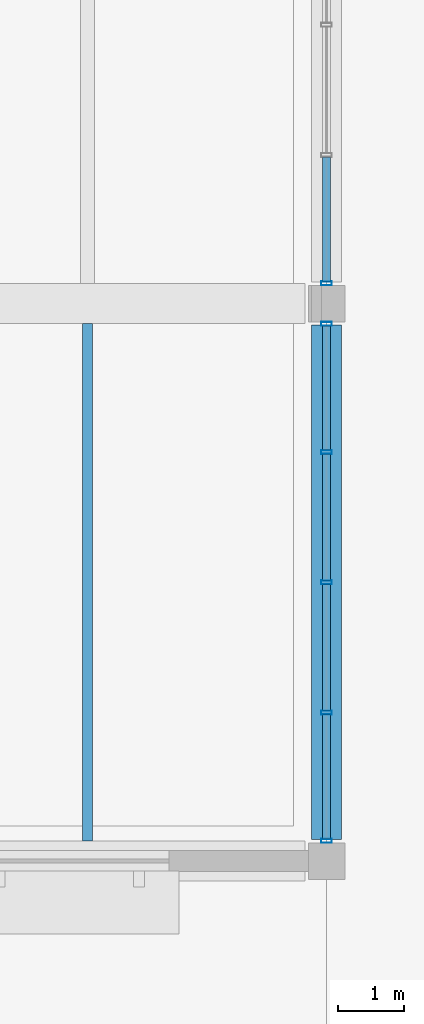
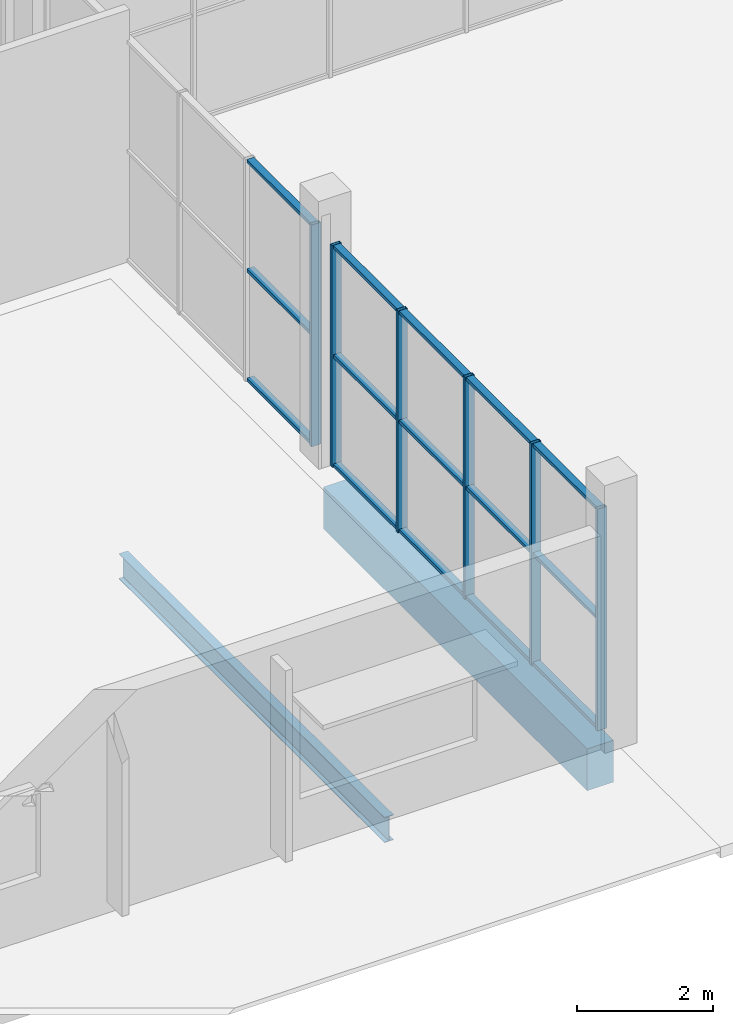
# One storey, part 20 of 130: 21 members, 2 beams, 2 elements without a shape of their own.
"""IFC4 building model written with IfcOpenShell, lengths in metres."""

from ifc_helpers import new_model, si_unit, direction, frame, origin, origin_2d, place, context, subcontext, project, spatial, rectangle, hollow_rectangle, i_section, extrude, material, material_profile, profile_set, type_object, element, aggregate, save


model = new_model("IFC4")

# Units and contexts
model_context = context("Model", 3, precision=1e-05, world=origin(), true_north=direction((0.0, 1.0)))
body_context = subcontext(model_context, "Body", "Model", "MODEL_VIEW")
ifc_project = project(units=[si_unit("LENGTHUNIT", "METRE"), si_unit("AREAUNIT", "SQUARE_METRE"), si_unit("VOLUMEUNIT", "CUBIC_METRE"), si_unit("PLANEANGLEUNIT", "RADIAN"), si_unit("MASSUNIT", "GRAM", prefix="KILO"), si_unit("THERMODYNAMICTEMPERATUREUNIT", "KELVIN")], contexts=[model_context])

# Site, building, storey
site_placement = place(None, origin())
site = spatial("IfcSite", under=ifc_project, at=site_placement, CompositionType="ELEMENT")
building_placement = place(site_placement, origin())
building = spatial("IfcBuilding", under=site, at=building_placement, Name="Nduvali Passage Aquatics Centre", CompositionType="ELEMENT")
storey_placement = place(building_placement, origin())
storey = spatial("IfcBuildingStorey", under=building, at=storey_placement, Name="L00", CompositionType="ELEMENT", Elevation=0.0)

# Curtain wall, members
ifc_material_1 = material(Name="Aluminium EN AW-6063 T6", Category="aluminium")
curtain_wall_type = type_object("IfcCurtainWallType", Name="ENV-CW-COUR", PredefinedType="NOTDEFINED", material=ifc_material_1)
curtain_wall_1_placement = place(storey_placement, origin())
curtain_wall_1 = element("IfcCurtainWall", 1, at=curtain_wall_1_placement, inside=storey, type_object=curtain_wall_type, Name="L00 Courtyard West Cloister CW 167", PredefinedType="NOTDEFINED")
ifc_material_profile_1 = material_profile(ifc_material_1, hollow_rectangle(XDim=0.06005859375, YDim=0.159912109375, WallThickness=0.00390625, at=origin_2d()), Name="ALU MULLION 60x160x4")
ifc_profile_set_1 = profile_set([ifc_material_profile_1], Name="Aluminium EN AW-6063 T6")
member_type_1 = type_object("IfcMemberType", Name="ENV-MEM-MUL60", PredefinedType="MULLION", material=ifc_profile_set_1)
member_1_placement = place(storey_placement, frame((68.39990234375, 0.304931640625, 0.0), z_axis=(0.0, 0.0, 1.0), x_axis=(0.0, 1.0, 0.0)))
member_1 = element("IfcMember", 2, at=member_1_placement, type_object=member_type_1, Name="Courtyard West Cloister CW Mullion 1", PredefinedType="MULLION", context=body_context, shape_type="SweptSolid", body=[
    extrude(hollow_rectangle(XDim=0.06005859375, YDim=0.159912109375, WallThickness=0.00390625, at=origin_2d()), origin(), (0.0, 0.0, 1.0), 3.976318359375),
])
member_2_placement = place(storey_placement, frame((68.39990234375, 2.237548828125, 0.0), z_axis=(0.0, 0.0, 1.0), x_axis=(0.0, 1.0, 0.0)))
member_2 = element("IfcMember", 3, at=member_2_placement, type_object=member_type_1, Name="Courtyard West Cloister CW Mullion 2", PredefinedType="MULLION", context=body_context, shape_type="SweptSolid", body=[
    extrude(hollow_rectangle(XDim=0.06005859375, YDim=0.159912109375, WallThickness=0.00390625, at=origin_2d()), origin(), (0.0, 0.0, 1.0), 3.976318359375),
])
member_3_placement = place(storey_placement, frame((68.39990234375, 4.199951171875, 0.0), z_axis=(0.0, 0.0, 1.0), x_axis=(0.0, 1.0, 0.0)))
member_3 = element("IfcMember", 4, at=member_3_placement, type_object=member_type_1, Name="Courtyard West Cloister CW Mullion 3", PredefinedType="MULLION", context=body_context, shape_type="SweptSolid", body=[
    extrude(hollow_rectangle(XDim=0.06005859375, YDim=0.159912109375, WallThickness=0.00390625, at=origin_2d()), origin(), (0.0, 0.0, 1.0), 3.976318359375),
])
member_4_placement = place(storey_placement, frame((68.39990234375, 6.16259765625, 0.0), z_axis=(0.0, 0.0, 1.0), x_axis=(0.0, 1.0, 0.0)))
member_4 = element("IfcMember", 5, at=member_4_placement, type_object=member_type_1, Name="Courtyard West Cloister CW Mullion 4", PredefinedType="MULLION", context=body_context, shape_type="SweptSolid", body=[
    extrude(hollow_rectangle(XDim=0.06005859375, YDim=0.159912109375, WallThickness=0.00390625, at=origin_2d()), origin(), (0.0, 0.0, 1.0), 3.976318359375),
])
member_5_placement = place(storey_placement, frame((68.39990234375, 8.094970703125, 0.0), z_axis=(0.0, 0.0, 1.0), x_axis=(0.0, 1.0, 0.0)))
member_5 = element("IfcMember", 6, at=member_5_placement, type_object=member_type_1, Name="Courtyard West Cloister CW Mullion 5", PredefinedType="MULLION", context=body_context, shape_type="SweptSolid", body=[
    extrude(hollow_rectangle(XDim=0.06005859375, YDim=0.159912109375, WallThickness=0.00390625, at=origin_2d()), origin(), (0.0, 0.0, 1.0), 3.976318359375),
])

# Curtain wall, member
curtain_wall_2_placement = place(storey_placement, origin())
curtain_wall_2 = element("IfcCurtainWall", 7, at=curtain_wall_2_placement, inside=storey, type_object=curtain_wall_type, Name="L00 Courtyard West Cloister CW 171", PredefinedType="NOTDEFINED")
member_6_placement = place(storey_placement, frame((68.39990234375, 8.705078125, 0.0), z_axis=(0.0, 0.0, 1.0), x_axis=(0.0, 1.0, 0.0)))
member_6 = element("IfcMember", 8, at=member_6_placement, type_object=member_type_1, Name="Courtyard West Cloister CW Mullion 1", PredefinedType="MULLION", context=body_context, shape_type="SweptSolid", body=[
    extrude(hollow_rectangle(XDim=0.06005859375, YDim=0.159912109375, WallThickness=0.00390625, at=origin_2d()), origin(), (0.0, 0.0, 1.0), 3.976318359375),
])

# Member
ifc_material_profile_2 = material_profile(ifc_material_1, hollow_rectangle(XDim=0.1201171875, YDim=0.06005859375, WallThickness=0.00390625, at=origin_2d()), Name="ALU TRANSOM 120x60x4")
ifc_profile_set_2 = profile_set([ifc_material_profile_2], Name="Aluminium EN AW-6063 T6")
member_type_2 = type_object("IfcMemberType", Name="ENV-MEM-TRN60", PredefinedType="USERDEFINED", material=ifc_profile_set_2)
member_7_placement = place(storey_placement, frame((68.39990234375, 0.3349609375, 0.030029296875), z_axis=(0.0, 1.0, 0.0), x_axis=(-1.0, 0.0, 0.0)))
member_7 = element("IfcMember", 9, at=member_7_placement, type_object=member_type_2, Name="Courtyard West Cloister CW Transom B1-R0", ObjectType="TRANSOM", PredefinedType="USERDEFINED", context=body_context, shape_type="SweptSolid", body=[
    extrude(hollow_rectangle(XDim=0.1201171875, YDim=0.06005859375, WallThickness=0.00390625, at=origin_2d()), origin(), (0.0, 0.0, 1.0), 1.87255859375),
])

member_8_placement = place(storey_placement, frame((68.39990234375, 0.3349609375, 1.98828125), z_axis=(0.0, 1.0, 0.0), x_axis=(-1.0, 0.0, 0.0)))
member_8 = element("IfcMember", 10, at=member_8_placement, type_object=member_type_2, Name="Courtyard West Cloister CW Transom B1-R1", ObjectType="TRANSOM", PredefinedType="USERDEFINED", context=body_context, shape_type="SweptSolid", body=[
    extrude(hollow_rectangle(XDim=0.1201171875, YDim=0.06005859375, WallThickness=0.00390625, at=origin_2d()), origin(), (0.0, 0.0, 1.0), 1.87255859375),
])

member_9_placement = place(storey_placement, frame((68.39990234375, 0.3349609375, 3.9462890625), z_axis=(0.0, 1.0, 0.0), x_axis=(-1.0, 0.0, 0.0)))
member_9 = element("IfcMember", 11, at=member_9_placement, type_object=member_type_2, Name="Courtyard West Cloister CW Transom B1-R2", ObjectType="TRANSOM", PredefinedType="USERDEFINED", context=body_context, shape_type="SweptSolid", body=[
    extrude(hollow_rectangle(XDim=0.1201171875, YDim=0.06005859375, WallThickness=0.00390625, at=origin_2d()), origin(), (0.0, 0.0, 1.0), 1.87255859375),
])

member_10_placement = place(storey_placement, frame((68.39990234375, 2.267578125, 0.030029296875), z_axis=(0.0, 1.0, 0.0), x_axis=(-1.0, 0.0, 0.0)))
member_10 = element("IfcMember", 12, at=member_10_placement, type_object=member_type_2, Name="Courtyard West Cloister CW Transom B2-R0", ObjectType="TRANSOM", PredefinedType="USERDEFINED", context=body_context, shape_type="SweptSolid", body=[
    extrude(hollow_rectangle(XDim=0.1201171875, YDim=0.06005859375, WallThickness=0.00390625, at=origin_2d()), origin(), (0.0, 0.0, 1.0), 1.90234375),
])

member_11_placement = place(storey_placement, frame((68.39990234375, 2.267578125, 1.98828125), z_axis=(0.0, 1.0, 0.0), x_axis=(-1.0, 0.0, 0.0)))
member_11 = element("IfcMember", 13, at=member_11_placement, type_object=member_type_2, Name="Courtyard West Cloister CW Transom B2-R1", ObjectType="TRANSOM", PredefinedType="USERDEFINED", context=body_context, shape_type="SweptSolid", body=[
    extrude(hollow_rectangle(XDim=0.1201171875, YDim=0.06005859375, WallThickness=0.00390625, at=origin_2d()), origin(), (0.0, 0.0, 1.0), 1.90234375),
])

member_12_placement = place(storey_placement, frame((68.39990234375, 2.267578125, 3.9462890625), z_axis=(0.0, 1.0, 0.0), x_axis=(-1.0, 0.0, 0.0)))
member_12 = element("IfcMember", 14, at=member_12_placement, type_object=member_type_2, Name="Courtyard West Cloister CW Transom B2-R2", ObjectType="TRANSOM", PredefinedType="USERDEFINED", context=body_context, shape_type="SweptSolid", body=[
    extrude(hollow_rectangle(XDim=0.1201171875, YDim=0.06005859375, WallThickness=0.00390625, at=origin_2d()), origin(), (0.0, 0.0, 1.0), 1.90234375),
])

member_13_placement = place(storey_placement, frame((68.39990234375, 4.22998046875, 0.030029296875), z_axis=(0.0, 1.0, 0.0), x_axis=(-1.0, 0.0, 0.0)))
member_13 = element("IfcMember", 15, at=member_13_placement, type_object=member_type_2, Name="Courtyard West Cloister CW Transom B3-R0", ObjectType="TRANSOM", PredefinedType="USERDEFINED", context=body_context, shape_type="SweptSolid", body=[
    extrude(hollow_rectangle(XDim=0.1201171875, YDim=0.06005859375, WallThickness=0.00390625, at=origin_2d()), origin(), (0.0, 0.0, 1.0), 1.902587890625),
])

member_14_placement = place(storey_placement, frame((68.39990234375, 4.22998046875, 1.98828125), z_axis=(0.0, 1.0, 0.0), x_axis=(-1.0, 0.0, 0.0)))
member_14 = element("IfcMember", 16, at=member_14_placement, type_object=member_type_2, Name="Courtyard West Cloister CW Transom B3-R1", ObjectType="TRANSOM", PredefinedType="USERDEFINED", context=body_context, shape_type="SweptSolid", body=[
    extrude(hollow_rectangle(XDim=0.1201171875, YDim=0.06005859375, WallThickness=0.00390625, at=origin_2d()), origin(), (0.0, 0.0, 1.0), 1.902587890625),
])

member_15_placement = place(storey_placement, frame((68.39990234375, 4.22998046875, 3.9462890625), z_axis=(0.0, 1.0, 0.0), x_axis=(-1.0, 0.0, 0.0)))
member_15 = element("IfcMember", 17, at=member_15_placement, type_object=member_type_2, Name="Courtyard West Cloister CW Transom B3-R2", ObjectType="TRANSOM", PredefinedType="USERDEFINED", context=body_context, shape_type="SweptSolid", body=[
    extrude(hollow_rectangle(XDim=0.1201171875, YDim=0.06005859375, WallThickness=0.00390625, at=origin_2d()), origin(), (0.0, 0.0, 1.0), 1.902587890625),
])

member_16_placement = place(storey_placement, frame((68.39990234375, 6.1923828125, 0.030029296875), z_axis=(0.0, 1.0, 0.0), x_axis=(-1.0, 0.0, 0.0)))
member_16 = element("IfcMember", 18, at=member_16_placement, type_object=member_type_2, Name="Courtyard West Cloister CW Transom B4-R0", ObjectType="TRANSOM", PredefinedType="USERDEFINED", context=body_context, shape_type="SweptSolid", body=[
    extrude(hollow_rectangle(XDim=0.1201171875, YDim=0.06005859375, WallThickness=0.00390625, at=origin_2d()), origin(), (0.0, 0.0, 1.0), 1.87255859375),
])

member_17_placement = place(storey_placement, frame((68.39990234375, 6.1923828125, 1.98828125), z_axis=(0.0, 1.0, 0.0), x_axis=(-1.0, 0.0, 0.0)))
member_17 = element("IfcMember", 19, at=member_17_placement, type_object=member_type_2, Name="Courtyard West Cloister CW Transom B4-R1", ObjectType="TRANSOM", PredefinedType="USERDEFINED", context=body_context, shape_type="SweptSolid", body=[
    extrude(hollow_rectangle(XDim=0.1201171875, YDim=0.06005859375, WallThickness=0.00390625, at=origin_2d()), origin(), (0.0, 0.0, 1.0), 1.87255859375),
])

member_18_placement = place(storey_placement, frame((68.39990234375, 6.1923828125, 3.9462890625), z_axis=(0.0, 1.0, 0.0), x_axis=(-1.0, 0.0, 0.0)))
member_18 = element("IfcMember", 20, at=member_18_placement, type_object=member_type_2, Name="Courtyard West Cloister CW Transom B4-R2", ObjectType="TRANSOM", PredefinedType="USERDEFINED", context=body_context, shape_type="SweptSolid", body=[
    extrude(hollow_rectangle(XDim=0.1201171875, YDim=0.06005859375, WallThickness=0.00390625, at=origin_2d()), origin(), (0.0, 0.0, 1.0), 1.87255859375),
])

aggregate(curtain_wall_1, [member_1, member_2, member_3, member_4, member_5, member_7, member_8, member_9, member_10, member_11, member_12, member_13, member_14, member_15, member_16, member_17, member_18])

member_19_placement = place(storey_placement, frame((68.39990234375, 8.735107421875, 0.030029296875), z_axis=(0.0, 1.0, 0.0), x_axis=(-1.0, 0.0, 0.0)))
member_19 = element("IfcMember", 21, at=member_19_placement, type_object=member_type_2, Name="Courtyard West Cloister CW Transom B1-R0", ObjectType="TRANSOM", PredefinedType="USERDEFINED", context=body_context, shape_type="SweptSolid", body=[
    extrude(hollow_rectangle(XDim=0.1201171875, YDim=0.06005859375, WallThickness=0.00390625, at=origin_2d()), origin(), (0.0, 0.0, 1.0), 1.872314453125),
])

member_20_placement = place(storey_placement, frame((68.39990234375, 8.735107421875, 1.98828125), z_axis=(0.0, 1.0, 0.0), x_axis=(-1.0, 0.0, 0.0)))
member_20 = element("IfcMember", 22, at=member_20_placement, type_object=member_type_2, Name="Courtyard West Cloister CW Transom B1-R1", ObjectType="TRANSOM", PredefinedType="USERDEFINED", context=body_context, shape_type="SweptSolid", body=[
    extrude(hollow_rectangle(XDim=0.1201171875, YDim=0.06005859375, WallThickness=0.00390625, at=origin_2d()), origin(), (0.0, 0.0, 1.0), 1.872314453125),
])

member_21_placement = place(storey_placement, frame((68.39990234375, 8.735107421875, 3.9462890625), z_axis=(0.0, 1.0, 0.0), x_axis=(-1.0, 0.0, 0.0)))
member_21 = element("IfcMember", 23, at=member_21_placement, type_object=member_type_2, Name="Courtyard West Cloister CW Transom B1-R2", ObjectType="TRANSOM", PredefinedType="USERDEFINED", context=body_context, shape_type="SweptSolid", body=[
    extrude(hollow_rectangle(XDim=0.1201171875, YDim=0.06005859375, WallThickness=0.00390625, at=origin_2d()), origin(), (0.0, 0.0, 1.0), 1.872314453125),
])

aggregate(curtain_wall_2, [member_6, member_19, member_20, member_21])

# Beams
ifc_material_2 = material(Name="Concrete C40/50", Category="concrete")
ifc_material_profile_3 = material_profile(ifc_material_2, rectangle(XDim=0.449951171875, YDim=0.75, at=origin_2d()), Name="RC 450x750")
ifc_profile_set_3 = profile_set([ifc_material_profile_3], Name="Concrete C40/50")
beam_type_1 = type_object("IfcBeamType", Name="STR-BM-RC4575", PredefinedType="BEAM", material=ifc_profile_set_3)
beam_1_placement = place(storey_placement, frame((68.39990234375, 0.324951171875, -0.675048828125), z_axis=(0.0, 1.0, 0.0), x_axis=(-1.0, 0.0, 0.0)))
element("IfcBeam", 24, at=beam_1_placement, inside=storey, type_object=beam_type_1, Name="L00 Primary Y-Girder B3-0151", PredefinedType="BEAM", context=body_context, shape_type="SweptSolid", body=[
    extrude(rectangle(XDim=0.449951171875, YDim=0.75, at=origin_2d()), origin(), (0.0, 0.0, 1.0), 7.75),
])
ifc_material_3 = material(Name="Steel S355", Category="steel")
ifc_material_profile_4 = material_profile(ifc_material_3, i_section(OverallWidth=0.15283203125, OverallDepth=0.45458984375, WebThickness=0.008056640625, FlangeThickness=0.01318359375, FilletRadius=0.01025390625, at=origin_2d()), Name="UKB 457x152x60")
ifc_profile_set_4 = profile_set([ifc_material_profile_4], Name="Steel S355")
beam_type_2 = type_object("IfcBeamType", Name="STR-JST-UKB457L", PredefinedType="JOIST", material=ifc_profile_set_4)
beam_2_placement = place(storey_placement, frame((64.800048828125, 0.300048828125, -0.53125), z_axis=(0.0, 1.0, 0.0), x_axis=(-1.0, 0.0, 0.0)))
element("IfcBeam", 25, at=beam_2_placement, inside=storey, type_object=beam_type_2, Name="L00 Secondary Joist J1A-0260", PredefinedType="JOIST", context=body_context, shape_type="SweptSolid", body=[
    extrude(i_section(OverallWidth=0.15283203125, OverallDepth=0.45458984375, WebThickness=0.008056640625, FlangeThickness=0.01318359375, FilletRadius=0.01025390625, at=origin_2d()), origin(), (0.0, 0.0, 1.0), 7.800048828125),
])

save(model, "model.ifc")
